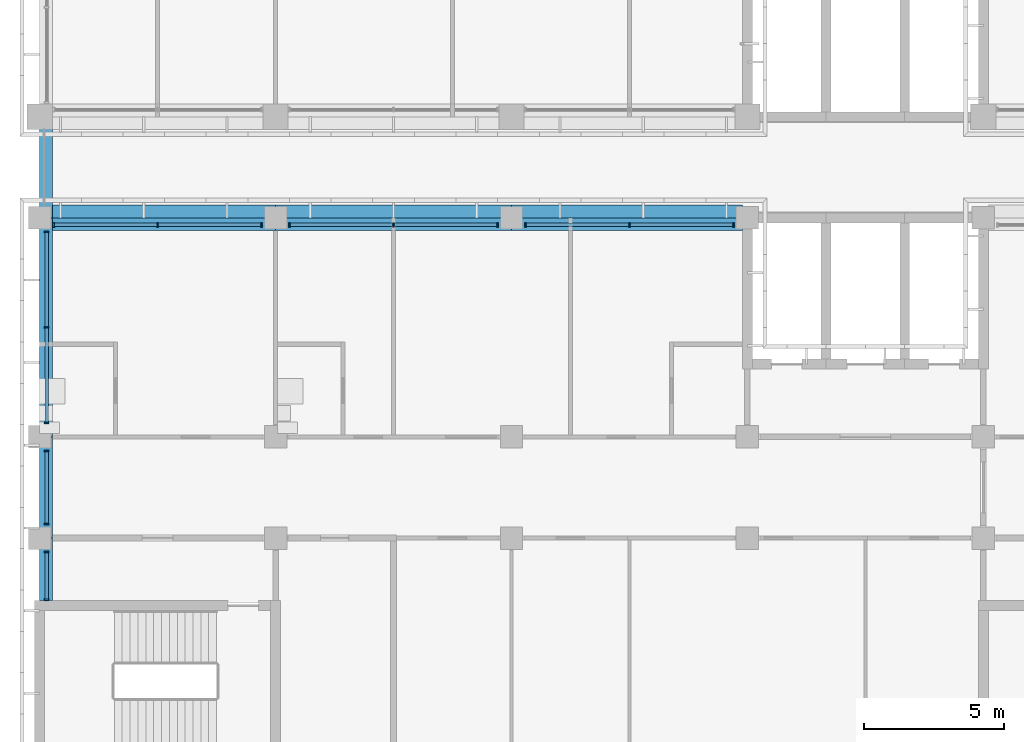
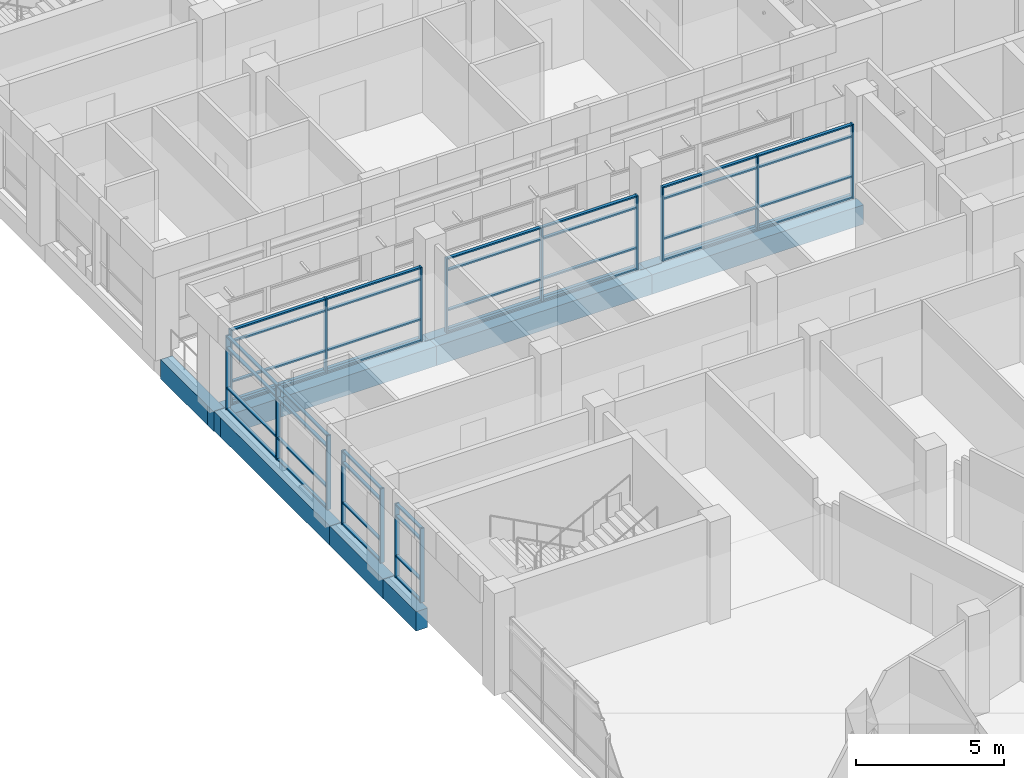
# One storey, part 22 of 137: 56 members, 10 beams, 6 elements without a shape of their own.
"""IFC4 building model written with IfcOpenShell, lengths in metres."""

from ifc_helpers import new_model, si_unit, direction, frame, origin, origin_2d, place, context, subcontext, project, spatial, rectangle, extrude, material, material_profile, profile_set, type_object, element, aggregate, save


model = new_model("IFC4")

# Units and contexts
model_context = context("Model", 3, precision=1e-05, world=origin(), true_north=direction((0.0, 1.0)))
body_context = subcontext(model_context, "Body", "Model", "MODEL_VIEW")
ifc_project = project(units=[si_unit("LENGTHUNIT", "METRE"), si_unit("AREAUNIT", "SQUARE_METRE"), si_unit("VOLUMEUNIT", "CUBIC_METRE"), si_unit("PLANEANGLEUNIT", "RADIAN"), si_unit("MASSUNIT", "GRAM", prefix="KILO")], contexts=[model_context])

# Site, building, storey
site_placement = place(None, origin())
site = spatial("IfcSite", under=ifc_project, at=site_placement, CompositionType="ELEMENT")
building_placement = place(site_placement, origin())
building = spatial("IfcBuilding", under=site, at=building_placement, Name="Bougainvillea Quay General Hospital", CompositionType="ELEMENT")
storey_placement = place(building_placement, frame((0.0, 0.0, 16.800048828125)))
storey = spatial("IfcBuildingStorey", under=building, at=storey_placement, Name="L03", CompositionType="ELEMENT", Elevation=16.800048828125)

# Curtain wall, members
ifc_material_1 = material(Name="Aluminium curtain wall system, powder-coated glazed", Category="aluminium")
curtain_wall_type_1 = type_object("IfcCurtainWallType", Name="Unitised curtain wall CW-3730", PredefinedType="NOTDEFINED", material=ifc_material_1)
curtain_wall_1_placement = place(storey_placement, origin())
curtain_wall_1 = element("IfcCurtainWall", 1, at=curtain_wall_1_placement, inside=storey, type_object=curtain_wall_type_1, Name="CW-4200 00", PredefinedType="NOTDEFINED")
ifc_material_2 = material(Name="Aluminium mullion, powder-coated charcoal", Category="aluminium")
ifc_material_profile_1 = material_profile(ifc_material_2, rectangle(XDim=0.159912109375, YDim=0.06005859375, at=origin_2d()))
ifc_profile_set_1 = profile_set([ifc_material_profile_1], Name="Aluminium mullion, powder-coated charcoal")
member_type_1 = type_object("IfcMemberType", Name="Curtain wall mullion 160x60", PredefinedType="MULLION", material=ifc_profile_set_1)
member_1_placement = place(storey_placement, frame((66.699951171875, 136.550048828125, 0.0), z_axis=(0.0, 0.0, 1.0), x_axis=(0.0, -1.0, 0.0)))
member_1 = element("IfcMember", 2, at=member_1_placement, type_object=member_type_1, Name="CW-4200 mullion 1", PredefinedType="MULLION", context=body_context, shape_type="SweptSolid", body=[
    extrude(rectangle(XDim=0.159912109375, YDim=0.06005859375, at=origin_2d()), origin(), (0.0, 0.0, 1.0), 3.050048828125),
])
member_2_placement = place(storey_placement, frame((63.0, 136.550048828125, 0.0), z_axis=(0.0, 0.0, 1.0), x_axis=(0.0, -1.0, 0.0)))
member_2 = element("IfcMember", 3, at=member_2_placement, type_object=member_type_1, Name="CW-4200 mullion 2", PredefinedType="MULLION", context=body_context, shape_type="SweptSolid", body=[
    extrude(rectangle(XDim=0.159912109375, YDim=0.06005859375, at=origin_2d()), origin(), (0.0, 0.0, 1.0), 3.050048828125),
])
member_3_placement = place(storey_placement, frame((59.300048828125, 136.550048828125, 0.0), z_axis=(0.0, 0.0, 1.0), x_axis=(0.0, -1.0, 0.0)))
member_3 = element("IfcMember", 4, at=member_3_placement, type_object=member_type_1, Name="CW-4200 mullion 3", PredefinedType="MULLION", context=body_context, shape_type="SweptSolid", body=[
    extrude(rectangle(XDim=0.159912109375, YDim=0.06005859375, at=origin_2d()), origin(), (0.0, 0.0, 1.0), 3.050048828125),
])

curtain_wall_2_placement = place(storey_placement, origin())
curtain_wall_2 = element("IfcCurtainWall", 5, at=curtain_wall_2_placement, inside=storey, type_object=curtain_wall_type_1, Name="CW-4200 01", PredefinedType="NOTDEFINED")
member_4_placement = place(storey_placement, frame((58.300048828125, 136.550048828125, 0.0), z_axis=(0.0, 0.0, 1.0), x_axis=(0.0, -1.0, 0.0)))
member_4 = element("IfcMember", 6, at=member_4_placement, type_object=member_type_1, Name="CW-4200 mullion 1", PredefinedType="MULLION", context=body_context, shape_type="SweptSolid", body=[
    extrude(rectangle(XDim=0.159912109375, YDim=0.06005859375, at=origin_2d()), origin(), (0.0, 0.0, 1.0), 3.050048828125),
])
member_5_placement = place(storey_placement, frame((54.60009765625, 136.550048828125, 0.0), z_axis=(0.0, 0.0, 1.0), x_axis=(0.0, -1.0, 0.0)))
member_5 = element("IfcMember", 7, at=member_5_placement, type_object=member_type_1, Name="CW-4200 mullion 2", PredefinedType="MULLION", context=body_context, shape_type="SweptSolid", body=[
    extrude(rectangle(XDim=0.159912109375, YDim=0.06005859375, at=origin_2d()), origin(), (0.0, 0.0, 1.0), 3.050048828125),
])
member_6_placement = place(storey_placement, frame((50.89990234375, 136.550048828125, 0.0), z_axis=(0.0, 0.0, 1.0), x_axis=(0.0, -1.0, 0.0)))
member_6 = element("IfcMember", 8, at=member_6_placement, type_object=member_type_1, Name="CW-4200 mullion 3", PredefinedType="MULLION", context=body_context, shape_type="SweptSolid", body=[
    extrude(rectangle(XDim=0.159912109375, YDim=0.06005859375, at=origin_2d()), origin(), (0.0, 0.0, 1.0), 3.050048828125),
])

curtain_wall_3_placement = place(storey_placement, origin())
curtain_wall_3 = element("IfcCurtainWall", 9, at=curtain_wall_3_placement, inside=storey, type_object=curtain_wall_type_1, Name="CW-4200 02", PredefinedType="NOTDEFINED")
member_7_placement = place(storey_placement, frame((49.89990234375, 136.550048828125, 0.0), z_axis=(0.0, 0.0, 1.0), x_axis=(0.0, -1.0, 0.0)))
member_7 = element("IfcMember", 10, at=member_7_placement, type_object=member_type_1, Name="CW-4200 mullion 1", PredefinedType="MULLION", context=body_context, shape_type="SweptSolid", body=[
    extrude(rectangle(XDim=0.159912109375, YDim=0.06005859375, at=origin_2d()), origin(), (0.0, 0.0, 1.0), 3.050048828125),
])
member_8_placement = place(storey_placement, frame((46.199951171875, 136.550048828125, 0.0), z_axis=(0.0, 0.0, 1.0), x_axis=(0.0, -1.0, 0.0)))
member_8 = element("IfcMember", 11, at=member_8_placement, type_object=member_type_1, Name="CW-4200 mullion 2", PredefinedType="MULLION", context=body_context, shape_type="SweptSolid", body=[
    extrude(rectangle(XDim=0.159912109375, YDim=0.06005859375, at=origin_2d()), origin(), (0.0, 0.0, 1.0), 3.050048828125),
])
member_9_placement = place(storey_placement, frame((42.5, 136.550048828125, 0.0), z_axis=(0.0, 0.0, 1.0), x_axis=(0.0, -1.0, 0.0)))
member_9 = element("IfcMember", 12, at=member_9_placement, type_object=member_type_1, Name="CW-4200 mullion 3", PredefinedType="MULLION", context=body_context, shape_type="SweptSolid", body=[
    extrude(rectangle(XDim=0.159912109375, YDim=0.06005859375, at=origin_2d()), origin(), (0.0, 0.0, 1.0), 3.050048828125),
])

curtain_wall_type_2 = type_object("IfcCurtainWallType", Name="Unitised curtain wall CW-3430", PredefinedType="NOTDEFINED", material=ifc_material_1)
curtain_wall_4_placement = place(storey_placement, origin())
curtain_wall_4 = element("IfcCurtainWall", 13, at=curtain_wall_4_placement, inside=storey, type_object=curtain_wall_type_2, Name="CW-4200 00", PredefinedType="NOTDEFINED")
member_10_placement = place(storey_placement, frame((42.25, 136.300048828125, 0.0), z_axis=(0.0, 0.0, 1.0), x_axis=(1.0, 0.0, 0.0)))
member_10 = element("IfcMember", 14, at=member_10_placement, type_object=member_type_1, Name="CW-4200 mullion 1", PredefinedType="MULLION", context=body_context, shape_type="SweptSolid", body=[
    extrude(rectangle(XDim=0.159912109375, YDim=0.06005859375, at=origin_2d()), origin(), (0.0, 0.0, 1.0), 3.050048828125),
])
member_11_placement = place(storey_placement, frame((42.25, 132.89990234375, 0.0), z_axis=(0.0, 0.0, 1.0), x_axis=(1.0, 0.0, 0.0)))
member_11 = element("IfcMember", 15, at=member_11_placement, type_object=member_type_1, Name="CW-4200 mullion 2", PredefinedType="MULLION", context=body_context, shape_type="SweptSolid", body=[
    extrude(rectangle(XDim=0.159912109375, YDim=0.06005859375, at=origin_2d()), origin(), (0.0, 0.0, 1.0), 3.050048828125),
])
member_12_placement = place(storey_placement, frame((42.25, 129.5, 0.0), z_axis=(0.0, 0.0, 1.0), x_axis=(1.0, 0.0, 0.0)))
member_12 = element("IfcMember", 16, at=member_12_placement, type_object=member_type_1, Name="CW-4200 mullion 3", PredefinedType="MULLION", context=body_context, shape_type="SweptSolid", body=[
    extrude(rectangle(XDim=0.159912109375, YDim=0.06005859375, at=origin_2d()), origin(), (0.0, 0.0, 1.0), 3.050048828125),
])

curtain_wall_type_3 = type_object("IfcCurtainWallType", Name="Unitised curtain wall CW-2660", PredefinedType="NOTDEFINED", material=ifc_material_1)
curtain_wall_5_placement = place(storey_placement, origin())
curtain_wall_5 = element("IfcCurtainWall", 17, at=curtain_wall_5_placement, inside=storey, type_object=curtain_wall_type_3, Name="CW-4200 01", PredefinedType="NOTDEFINED")
member_13_placement = place(storey_placement, frame((42.25, 128.5, 0.0), z_axis=(0.0, 0.0, 1.0), x_axis=(1.0, 0.0, 0.0)))
member_13 = element("IfcMember", 18, at=member_13_placement, type_object=member_type_1, Name="CW-4200 mullion 1", PredefinedType="MULLION", context=body_context, shape_type="SweptSolid", body=[
    extrude(rectangle(XDim=0.159912109375, YDim=0.06005859375, at=origin_2d()), origin(), (0.0, 0.0, 1.0), 3.050048828125),
])
member_14_placement = place(storey_placement, frame((42.25, 125.89990234375, 0.0), z_axis=(0.0, 0.0, 1.0), x_axis=(1.0, 0.0, 0.0)))
member_14 = element("IfcMember", 19, at=member_14_placement, type_object=member_type_1, Name="CW-4200 mullion 2", PredefinedType="MULLION", context=body_context, shape_type="SweptSolid", body=[
    extrude(rectangle(XDim=0.159912109375, YDim=0.06005859375, at=origin_2d()), origin(), (0.0, 0.0, 1.0), 3.050048828125),
])

curtain_wall_type_4 = type_object("IfcCurtainWallType", Name="Unitised curtain wall CW-1755", PredefinedType="NOTDEFINED", material=ifc_material_1)
curtain_wall_6_placement = place(storey_placement, origin())
curtain_wall_6 = element("IfcCurtainWall", 20, at=curtain_wall_6_placement, inside=storey, type_object=curtain_wall_type_4, Name="CW-4200 02", PredefinedType="NOTDEFINED")
member_15_placement = place(storey_placement, frame((42.25, 124.89990234375, 0.0), z_axis=(0.0, 0.0, 1.0), x_axis=(1.0, 0.0, 0.0)))
member_15 = element("IfcMember", 21, at=member_15_placement, type_object=member_type_1, Name="CW-4200 mullion 1", PredefinedType="MULLION", context=body_context, shape_type="SweptSolid", body=[
    extrude(rectangle(XDim=0.159912109375, YDim=0.06005859375, at=origin_2d()), origin(), (0.0, 0.0, 1.0), 3.050048828125),
])
member_16_placement = place(storey_placement, frame((42.25, 123.205078125, 0.0), z_axis=(0.0, 0.0, 1.0), x_axis=(1.0, 0.0, 0.0)))
member_16 = element("IfcMember", 22, at=member_16_placement, type_object=member_type_1, Name="CW-4200 mullion 2", PredefinedType="MULLION", context=body_context, shape_type="SweptSolid", body=[
    extrude(rectangle(XDim=0.159912109375, YDim=0.06005859375, at=origin_2d()), origin(), (0.0, 0.0, 1.0), 3.050048828125),
])

# Member
ifc_material_3 = material(Name="Aluminium transom, powder-coated charcoal", Category="aluminium")
ifc_material_profile_2 = material_profile(ifc_material_3, rectangle(XDim=0.1201171875, YDim=0.06005859375, at=origin_2d()))
ifc_profile_set_2 = profile_set([ifc_material_profile_2], Name="Aluminium transom, powder-coated charcoal")
member_type_2 = type_object("IfcMemberType", Name="Curtain wall transom 120x60", PredefinedType="USERDEFINED", material=ifc_profile_set_2)
member_17_placement = place(storey_placement, frame((66.669921875, 136.550048828125, 0.030029296875), z_axis=(-1.0, 0.0, 0.0), x_axis=(0.0, -1.0, 0.0)))
member_17 = element("IfcMember", 23, at=member_17_placement, type_object=member_type_2, Name="CW-4200 transom 1.1", ObjectType="TRANSOM", PredefinedType="USERDEFINED", context=body_context, shape_type="SweptSolid", body=[
    extrude(rectangle(XDim=0.1201171875, YDim=0.06005859375, at=origin_2d()), origin(), (0.0, 0.0, 1.0), 3.639892578125),
])

member_18_placement = place(storey_placement, frame((66.669921875, 136.550048828125, 0.89990234375), z_axis=(-1.0, 0.0, 0.0), x_axis=(0.0, -1.0, 0.0)))
member_18 = element("IfcMember", 24, at=member_18_placement, type_object=member_type_2, Name="CW-4200 transom 1.2", ObjectType="TRANSOM", PredefinedType="USERDEFINED", context=body_context, shape_type="SweptSolid", body=[
    extrude(rectangle(XDim=0.1201171875, YDim=0.06005859375, at=origin_2d()), origin(), (0.0, 0.0, 1.0), 3.639892578125),
])

member_19_placement = place(storey_placement, frame((66.669921875, 136.550048828125, 2.550048828125), z_axis=(-1.0, 0.0, 0.0), x_axis=(0.0, -1.0, 0.0)))
member_19 = element("IfcMember", 25, at=member_19_placement, type_object=member_type_2, Name="CW-4200 transom 1.3", ObjectType="TRANSOM", PredefinedType="USERDEFINED", context=body_context, shape_type="SweptSolid", body=[
    extrude(rectangle(XDim=0.1201171875, YDim=0.06005859375, at=origin_2d()), origin(), (0.0, 0.0, 1.0), 3.639892578125),
])

member_20_placement = place(storey_placement, frame((66.669921875, 136.550048828125, 3.02001953125), z_axis=(-1.0, 0.0, 0.0), x_axis=(0.0, -1.0, 0.0)))
member_20 = element("IfcMember", 26, at=member_20_placement, type_object=member_type_2, Name="CW-4200 transom 1.4", ObjectType="TRANSOM", PredefinedType="USERDEFINED", context=body_context, shape_type="SweptSolid", body=[
    extrude(rectangle(XDim=0.1201171875, YDim=0.06005859375, at=origin_2d()), origin(), (0.0, 0.0, 1.0), 3.639892578125),
])

member_21_placement = place(storey_placement, frame((62.969970703125, 136.550048828125, 0.030029296875), z_axis=(-1.0, 0.0, 0.0), x_axis=(0.0, -1.0, 0.0)))
member_21 = element("IfcMember", 27, at=member_21_placement, type_object=member_type_2, Name="CW-4200 transom 2.1", ObjectType="TRANSOM", PredefinedType="USERDEFINED", context=body_context, shape_type="SweptSolid", body=[
    extrude(rectangle(XDim=0.1201171875, YDim=0.06005859375, at=origin_2d()), origin(), (0.0, 0.0, 1.0), 3.639892578125),
])

member_22_placement = place(storey_placement, frame((62.969970703125, 136.550048828125, 0.89990234375), z_axis=(-1.0, 0.0, 0.0), x_axis=(0.0, -1.0, 0.0)))
member_22 = element("IfcMember", 28, at=member_22_placement, type_object=member_type_2, Name="CW-4200 transom 2.2", ObjectType="TRANSOM", PredefinedType="USERDEFINED", context=body_context, shape_type="SweptSolid", body=[
    extrude(rectangle(XDim=0.1201171875, YDim=0.06005859375, at=origin_2d()), origin(), (0.0, 0.0, 1.0), 3.639892578125),
])

member_23_placement = place(storey_placement, frame((62.969970703125, 136.550048828125, 2.550048828125), z_axis=(-1.0, 0.0, 0.0), x_axis=(0.0, -1.0, 0.0)))
member_23 = element("IfcMember", 29, at=member_23_placement, type_object=member_type_2, Name="CW-4200 transom 2.3", ObjectType="TRANSOM", PredefinedType="USERDEFINED", context=body_context, shape_type="SweptSolid", body=[
    extrude(rectangle(XDim=0.1201171875, YDim=0.06005859375, at=origin_2d()), origin(), (0.0, 0.0, 1.0), 3.639892578125),
])

member_24_placement = place(storey_placement, frame((62.969970703125, 136.550048828125, 3.02001953125), z_axis=(-1.0, 0.0, 0.0), x_axis=(0.0, -1.0, 0.0)))
member_24 = element("IfcMember", 30, at=member_24_placement, type_object=member_type_2, Name="CW-4200 transom 2.4", ObjectType="TRANSOM", PredefinedType="USERDEFINED", context=body_context, shape_type="SweptSolid", body=[
    extrude(rectangle(XDim=0.1201171875, YDim=0.06005859375, at=origin_2d()), origin(), (0.0, 0.0, 1.0), 3.639892578125),
])

aggregate(curtain_wall_1, [member_1, member_2, member_3, member_17, member_18, member_19, member_20, member_21, member_22, member_23, member_24])

member_25_placement = place(storey_placement, frame((58.27001953125, 136.550048828125, 0.030029296875), z_axis=(-1.0, 0.0, 0.0), x_axis=(0.0, -1.0, 0.0)))
member_25 = element("IfcMember", 31, at=member_25_placement, type_object=member_type_2, Name="CW-4200 transom 1.1", ObjectType="TRANSOM", PredefinedType="USERDEFINED", context=body_context, shape_type="SweptSolid", body=[
    extrude(rectangle(XDim=0.1201171875, YDim=0.06005859375, at=origin_2d()), origin(), (0.0, 0.0, 1.0), 3.64013671875),
])

member_26_placement = place(storey_placement, frame((58.27001953125, 136.550048828125, 0.89990234375), z_axis=(-1.0, 0.0, 0.0), x_axis=(0.0, -1.0, 0.0)))
member_26 = element("IfcMember", 32, at=member_26_placement, type_object=member_type_2, Name="CW-4200 transom 1.2", ObjectType="TRANSOM", PredefinedType="USERDEFINED", context=body_context, shape_type="SweptSolid", body=[
    extrude(rectangle(XDim=0.1201171875, YDim=0.06005859375, at=origin_2d()), origin(), (0.0, 0.0, 1.0), 3.64013671875),
])

member_27_placement = place(storey_placement, frame((58.27001953125, 136.550048828125, 2.550048828125), z_axis=(-1.0, 0.0, 0.0), x_axis=(0.0, -1.0, 0.0)))
member_27 = element("IfcMember", 33, at=member_27_placement, type_object=member_type_2, Name="CW-4200 transom 1.3", ObjectType="TRANSOM", PredefinedType="USERDEFINED", context=body_context, shape_type="SweptSolid", body=[
    extrude(rectangle(XDim=0.1201171875, YDim=0.06005859375, at=origin_2d()), origin(), (0.0, 0.0, 1.0), 3.64013671875),
])

member_28_placement = place(storey_placement, frame((58.27001953125, 136.550048828125, 3.02001953125), z_axis=(-1.0, 0.0, 0.0), x_axis=(0.0, -1.0, 0.0)))
member_28 = element("IfcMember", 34, at=member_28_placement, type_object=member_type_2, Name="CW-4200 transom 1.4", ObjectType="TRANSOM", PredefinedType="USERDEFINED", context=body_context, shape_type="SweptSolid", body=[
    extrude(rectangle(XDim=0.1201171875, YDim=0.06005859375, at=origin_2d()), origin(), (0.0, 0.0, 1.0), 3.64013671875),
])

member_29_placement = place(storey_placement, frame((54.570068359375, 136.550048828125, 0.030029296875), z_axis=(-1.0, 0.0, 0.0), x_axis=(0.0, -1.0, 0.0)))
member_29 = element("IfcMember", 35, at=member_29_placement, type_object=member_type_2, Name="CW-4200 transom 2.1", ObjectType="TRANSOM", PredefinedType="USERDEFINED", context=body_context, shape_type="SweptSolid", body=[
    extrude(rectangle(XDim=0.1201171875, YDim=0.06005859375, at=origin_2d()), origin(), (0.0, 0.0, 1.0), 3.64013671875),
])

member_30_placement = place(storey_placement, frame((54.570068359375, 136.550048828125, 0.89990234375), z_axis=(-1.0, 0.0, 0.0), x_axis=(0.0, -1.0, 0.0)))
member_30 = element("IfcMember", 36, at=member_30_placement, type_object=member_type_2, Name="CW-4200 transom 2.2", ObjectType="TRANSOM", PredefinedType="USERDEFINED", context=body_context, shape_type="SweptSolid", body=[
    extrude(rectangle(XDim=0.1201171875, YDim=0.06005859375, at=origin_2d()), origin(), (0.0, 0.0, 1.0), 3.64013671875),
])

member_31_placement = place(storey_placement, frame((54.570068359375, 136.550048828125, 2.550048828125), z_axis=(-1.0, 0.0, 0.0), x_axis=(0.0, -1.0, 0.0)))
member_31 = element("IfcMember", 37, at=member_31_placement, type_object=member_type_2, Name="CW-4200 transom 2.3", ObjectType="TRANSOM", PredefinedType="USERDEFINED", context=body_context, shape_type="SweptSolid", body=[
    extrude(rectangle(XDim=0.1201171875, YDim=0.06005859375, at=origin_2d()), origin(), (0.0, 0.0, 1.0), 3.64013671875),
])

member_32_placement = place(storey_placement, frame((54.570068359375, 136.550048828125, 3.02001953125), z_axis=(-1.0, 0.0, 0.0), x_axis=(0.0, -1.0, 0.0)))
member_32 = element("IfcMember", 38, at=member_32_placement, type_object=member_type_2, Name="CW-4200 transom 2.4", ObjectType="TRANSOM", PredefinedType="USERDEFINED", context=body_context, shape_type="SweptSolid", body=[
    extrude(rectangle(XDim=0.1201171875, YDim=0.06005859375, at=origin_2d()), origin(), (0.0, 0.0, 1.0), 3.64013671875),
])

aggregate(curtain_wall_2, [member_4, member_5, member_6, member_25, member_26, member_27, member_28, member_29, member_30, member_31, member_32])

member_33_placement = place(storey_placement, frame((49.8701171875, 136.550048828125, 0.030029296875), z_axis=(-1.0, 0.0, 0.0), x_axis=(0.0, -1.0, 0.0)))
member_33 = element("IfcMember", 39, at=member_33_placement, type_object=member_type_2, Name="CW-4200 transom 1.1", ObjectType="TRANSOM", PredefinedType="USERDEFINED", context=body_context, shape_type="SweptSolid", body=[
    extrude(rectangle(XDim=0.1201171875, YDim=0.06005859375, at=origin_2d()), origin(), (0.0, 0.0, 1.0), 3.64013671875),
])

member_34_placement = place(storey_placement, frame((49.8701171875, 136.550048828125, 0.89990234375), z_axis=(-1.0, 0.0, 0.0), x_axis=(0.0, -1.0, 0.0)))
member_34 = element("IfcMember", 40, at=member_34_placement, type_object=member_type_2, Name="CW-4200 transom 1.2", ObjectType="TRANSOM", PredefinedType="USERDEFINED", context=body_context, shape_type="SweptSolid", body=[
    extrude(rectangle(XDim=0.1201171875, YDim=0.06005859375, at=origin_2d()), origin(), (0.0, 0.0, 1.0), 3.64013671875),
])

member_35_placement = place(storey_placement, frame((49.8701171875, 136.550048828125, 2.550048828125), z_axis=(-1.0, 0.0, 0.0), x_axis=(0.0, -1.0, 0.0)))
member_35 = element("IfcMember", 41, at=member_35_placement, type_object=member_type_2, Name="CW-4200 transom 1.3", ObjectType="TRANSOM", PredefinedType="USERDEFINED", context=body_context, shape_type="SweptSolid", body=[
    extrude(rectangle(XDim=0.1201171875, YDim=0.06005859375, at=origin_2d()), origin(), (0.0, 0.0, 1.0), 3.64013671875),
])

member_36_placement = place(storey_placement, frame((49.8701171875, 136.550048828125, 3.02001953125), z_axis=(-1.0, 0.0, 0.0), x_axis=(0.0, -1.0, 0.0)))
member_36 = element("IfcMember", 42, at=member_36_placement, type_object=member_type_2, Name="CW-4200 transom 1.4", ObjectType="TRANSOM", PredefinedType="USERDEFINED", context=body_context, shape_type="SweptSolid", body=[
    extrude(rectangle(XDim=0.1201171875, YDim=0.06005859375, at=origin_2d()), origin(), (0.0, 0.0, 1.0), 3.64013671875),
])

member_37_placement = place(storey_placement, frame((46.169921875, 136.550048828125, 0.030029296875), z_axis=(-1.0, 0.0, 0.0), x_axis=(0.0, -1.0, 0.0)))
member_37 = element("IfcMember", 43, at=member_37_placement, type_object=member_type_2, Name="CW-4200 transom 2.1", ObjectType="TRANSOM", PredefinedType="USERDEFINED", context=body_context, shape_type="SweptSolid", body=[
    extrude(rectangle(XDim=0.1201171875, YDim=0.06005859375, at=origin_2d()), origin(), (0.0, 0.0, 1.0), 3.639892578125),
])

member_38_placement = place(storey_placement, frame((46.169921875, 136.550048828125, 0.89990234375), z_axis=(-1.0, 0.0, 0.0), x_axis=(0.0, -1.0, 0.0)))
member_38 = element("IfcMember", 44, at=member_38_placement, type_object=member_type_2, Name="CW-4200 transom 2.2", ObjectType="TRANSOM", PredefinedType="USERDEFINED", context=body_context, shape_type="SweptSolid", body=[
    extrude(rectangle(XDim=0.1201171875, YDim=0.06005859375, at=origin_2d()), origin(), (0.0, 0.0, 1.0), 3.639892578125),
])

member_39_placement = place(storey_placement, frame((46.169921875, 136.550048828125, 2.550048828125), z_axis=(-1.0, 0.0, 0.0), x_axis=(0.0, -1.0, 0.0)))
member_39 = element("IfcMember", 45, at=member_39_placement, type_object=member_type_2, Name="CW-4200 transom 2.3", ObjectType="TRANSOM", PredefinedType="USERDEFINED", context=body_context, shape_type="SweptSolid", body=[
    extrude(rectangle(XDim=0.1201171875, YDim=0.06005859375, at=origin_2d()), origin(), (0.0, 0.0, 1.0), 3.639892578125),
])

member_40_placement = place(storey_placement, frame((46.169921875, 136.550048828125, 3.02001953125), z_axis=(-1.0, 0.0, 0.0), x_axis=(0.0, -1.0, 0.0)))
member_40 = element("IfcMember", 46, at=member_40_placement, type_object=member_type_2, Name="CW-4200 transom 2.4", ObjectType="TRANSOM", PredefinedType="USERDEFINED", context=body_context, shape_type="SweptSolid", body=[
    extrude(rectangle(XDim=0.1201171875, YDim=0.06005859375, at=origin_2d()), origin(), (0.0, 0.0, 1.0), 3.639892578125),
])

aggregate(curtain_wall_3, [member_7, member_8, member_9, member_33, member_34, member_35, member_36, member_37, member_38, member_39, member_40])

member_41_placement = place(storey_placement, frame((42.25, 136.27001953125, 0.030029296875), z_axis=(0.0, -1.0, 0.0), x_axis=(1.0, 0.0, 0.0)))
member_41 = element("IfcMember", 47, at=member_41_placement, type_object=member_type_2, Name="CW-4200 transom 1.1", ObjectType="TRANSOM", PredefinedType="USERDEFINED", context=body_context, shape_type="SweptSolid", body=[
    extrude(rectangle(XDim=0.1201171875, YDim=0.06005859375, at=origin_2d()), origin(), (0.0, 0.0, 1.0), 3.340087890625),
])

member_42_placement = place(storey_placement, frame((42.25, 136.27001953125, 0.89990234375), z_axis=(0.0, -1.0, 0.0), x_axis=(1.0, 0.0, 0.0)))
member_42 = element("IfcMember", 48, at=member_42_placement, type_object=member_type_2, Name="CW-4200 transom 1.2", ObjectType="TRANSOM", PredefinedType="USERDEFINED", context=body_context, shape_type="SweptSolid", body=[
    extrude(rectangle(XDim=0.1201171875, YDim=0.06005859375, at=origin_2d()), origin(), (0.0, 0.0, 1.0), 3.340087890625),
])

member_43_placement = place(storey_placement, frame((42.25, 136.27001953125, 2.550048828125), z_axis=(0.0, -1.0, 0.0), x_axis=(1.0, 0.0, 0.0)))
member_43 = element("IfcMember", 49, at=member_43_placement, type_object=member_type_2, Name="CW-4200 transom 1.3", ObjectType="TRANSOM", PredefinedType="USERDEFINED", context=body_context, shape_type="SweptSolid", body=[
    extrude(rectangle(XDim=0.1201171875, YDim=0.06005859375, at=origin_2d()), origin(), (0.0, 0.0, 1.0), 3.340087890625),
])

member_44_placement = place(storey_placement, frame((42.25, 136.27001953125, 3.02001953125), z_axis=(0.0, -1.0, 0.0), x_axis=(1.0, 0.0, 0.0)))
member_44 = element("IfcMember", 50, at=member_44_placement, type_object=member_type_2, Name="CW-4200 transom 1.4", ObjectType="TRANSOM", PredefinedType="USERDEFINED", context=body_context, shape_type="SweptSolid", body=[
    extrude(rectangle(XDim=0.1201171875, YDim=0.06005859375, at=origin_2d()), origin(), (0.0, 0.0, 1.0), 3.340087890625),
])

member_45_placement = place(storey_placement, frame((42.25, 132.8701171875, 0.030029296875), z_axis=(0.0, -1.0, 0.0), x_axis=(1.0, 0.0, 0.0)))
member_45 = element("IfcMember", 51, at=member_45_placement, type_object=member_type_2, Name="CW-4200 transom 2.1", ObjectType="TRANSOM", PredefinedType="USERDEFINED", context=body_context, shape_type="SweptSolid", body=[
    extrude(rectangle(XDim=0.1201171875, YDim=0.06005859375, at=origin_2d()), origin(), (0.0, 0.0, 1.0), 3.340087890625),
])

member_46_placement = place(storey_placement, frame((42.25, 132.8701171875, 0.89990234375), z_axis=(0.0, -1.0, 0.0), x_axis=(1.0, 0.0, 0.0)))
member_46 = element("IfcMember", 52, at=member_46_placement, type_object=member_type_2, Name="CW-4200 transom 2.2", ObjectType="TRANSOM", PredefinedType="USERDEFINED", context=body_context, shape_type="SweptSolid", body=[
    extrude(rectangle(XDim=0.1201171875, YDim=0.06005859375, at=origin_2d()), origin(), (0.0, 0.0, 1.0), 3.340087890625),
])

member_47_placement = place(storey_placement, frame((42.25, 132.8701171875, 2.550048828125), z_axis=(0.0, -1.0, 0.0), x_axis=(1.0, 0.0, 0.0)))
member_47 = element("IfcMember", 53, at=member_47_placement, type_object=member_type_2, Name="CW-4200 transom 2.3", ObjectType="TRANSOM", PredefinedType="USERDEFINED", context=body_context, shape_type="SweptSolid", body=[
    extrude(rectangle(XDim=0.1201171875, YDim=0.06005859375, at=origin_2d()), origin(), (0.0, 0.0, 1.0), 3.340087890625),
])

member_48_placement = place(storey_placement, frame((42.25, 132.8701171875, 3.02001953125), z_axis=(0.0, -1.0, 0.0), x_axis=(1.0, 0.0, 0.0)))
member_48 = element("IfcMember", 54, at=member_48_placement, type_object=member_type_2, Name="CW-4200 transom 2.4", ObjectType="TRANSOM", PredefinedType="USERDEFINED", context=body_context, shape_type="SweptSolid", body=[
    extrude(rectangle(XDim=0.1201171875, YDim=0.06005859375, at=origin_2d()), origin(), (0.0, 0.0, 1.0), 3.340087890625),
])

aggregate(curtain_wall_4, [member_10, member_11, member_12, member_41, member_42, member_43, member_44, member_45, member_46, member_47, member_48])

member_49_placement = place(storey_placement, frame((42.25, 128.469970703125, 0.030029296875), z_axis=(0.0, -1.0, 0.0), x_axis=(1.0, 0.0, 0.0)))
member_49 = element("IfcMember", 55, at=member_49_placement, type_object=member_type_2, Name="CW-4200 transom 1.1", ObjectType="TRANSOM", PredefinedType="USERDEFINED", context=body_context, shape_type="SweptSolid", body=[
    extrude(rectangle(XDim=0.1201171875, YDim=0.06005859375, at=origin_2d()), origin(), (0.0, 0.0, 1.0), 2.5400390625),
])

member_50_placement = place(storey_placement, frame((42.25, 128.469970703125, 0.89990234375), z_axis=(0.0, -1.0, 0.0), x_axis=(1.0, 0.0, 0.0)))
member_50 = element("IfcMember", 56, at=member_50_placement, type_object=member_type_2, Name="CW-4200 transom 1.2", ObjectType="TRANSOM", PredefinedType="USERDEFINED", context=body_context, shape_type="SweptSolid", body=[
    extrude(rectangle(XDim=0.1201171875, YDim=0.06005859375, at=origin_2d()), origin(), (0.0, 0.0, 1.0), 2.5400390625),
])

member_51_placement = place(storey_placement, frame((42.25, 128.469970703125, 2.550048828125), z_axis=(0.0, -1.0, 0.0), x_axis=(1.0, 0.0, 0.0)))
member_51 = element("IfcMember", 57, at=member_51_placement, type_object=member_type_2, Name="CW-4200 transom 1.3", ObjectType="TRANSOM", PredefinedType="USERDEFINED", context=body_context, shape_type="SweptSolid", body=[
    extrude(rectangle(XDim=0.1201171875, YDim=0.06005859375, at=origin_2d()), origin(), (0.0, 0.0, 1.0), 2.5400390625),
])

member_52_placement = place(storey_placement, frame((42.25, 128.469970703125, 3.02001953125), z_axis=(0.0, -1.0, 0.0), x_axis=(1.0, 0.0, 0.0)))
member_52 = element("IfcMember", 58, at=member_52_placement, type_object=member_type_2, Name="CW-4200 transom 1.4", ObjectType="TRANSOM", PredefinedType="USERDEFINED", context=body_context, shape_type="SweptSolid", body=[
    extrude(rectangle(XDim=0.1201171875, YDim=0.06005859375, at=origin_2d()), origin(), (0.0, 0.0, 1.0), 2.5400390625),
])

aggregate(curtain_wall_5, [member_13, member_14, member_49, member_50, member_51, member_52])

member_53_placement = place(storey_placement, frame((42.25, 124.8701171875, 0.030029296875), z_axis=(0.0, -1.0, 0.0), x_axis=(1.0, 0.0, 0.0)))
member_53 = element("IfcMember", 59, at=member_53_placement, type_object=member_type_2, Name="CW-4200 transom 1.1", ObjectType="TRANSOM", PredefinedType="USERDEFINED", context=body_context, shape_type="SweptSolid", body=[
    extrude(rectangle(XDim=0.1201171875, YDim=0.06005859375, at=origin_2d()), origin(), (0.0, 0.0, 1.0), 1.635009765625),
])

member_54_placement = place(storey_placement, frame((42.25, 124.8701171875, 0.89990234375), z_axis=(0.0, -1.0, 0.0), x_axis=(1.0, 0.0, 0.0)))
member_54 = element("IfcMember", 60, at=member_54_placement, type_object=member_type_2, Name="CW-4200 transom 1.2", ObjectType="TRANSOM", PredefinedType="USERDEFINED", context=body_context, shape_type="SweptSolid", body=[
    extrude(rectangle(XDim=0.1201171875, YDim=0.06005859375, at=origin_2d()), origin(), (0.0, 0.0, 1.0), 1.635009765625),
])

member_55_placement = place(storey_placement, frame((42.25, 124.8701171875, 2.550048828125), z_axis=(0.0, -1.0, 0.0), x_axis=(1.0, 0.0, 0.0)))
member_55 = element("IfcMember", 61, at=member_55_placement, type_object=member_type_2, Name="CW-4200 transom 1.3", ObjectType="TRANSOM", PredefinedType="USERDEFINED", context=body_context, shape_type="SweptSolid", body=[
    extrude(rectangle(XDim=0.1201171875, YDim=0.06005859375, at=origin_2d()), origin(), (0.0, 0.0, 1.0), 1.635009765625),
])

member_56_placement = place(storey_placement, frame((42.25, 124.8701171875, 3.02001953125), z_axis=(0.0, -1.0, 0.0), x_axis=(1.0, 0.0, 0.0)))
member_56 = element("IfcMember", 62, at=member_56_placement, type_object=member_type_2, Name="CW-4200 transom 1.4", ObjectType="TRANSOM", PredefinedType="USERDEFINED", context=body_context, shape_type="SweptSolid", body=[
    extrude(rectangle(XDim=0.1201171875, YDim=0.06005859375, at=origin_2d()), origin(), (0.0, 0.0, 1.0), 1.635009765625),
])

aggregate(curtain_wall_6, [member_15, member_16, member_53, member_54, member_55, member_56])

# Beams
ifc_material_4 = material(Name="Concrete C40", Category="concrete")
ifc_material_profile_3 = material_profile(ifc_material_4, rectangle(XDim=0.449951171875, YDim=0.800048828125, at=origin_2d()))
ifc_profile_set_3 = profile_set([ifc_material_profile_3], Name="Concrete C40")
beam_type = type_object("IfcBeamType", Name="RC BEAM 450x800 C40", PredefinedType="BEAM", material=ifc_profile_set_3)
beam_1_placement = place(storey_placement, frame((67.02490234375, 136.574951171875, -0.699951171875), z_axis=(-1.0, 0.0, 0.0), x_axis=(0.0, -1.0, 0.0)))
element("IfcBeam", 63, at=beam_1_placement, inside=storey, type_object=beam_type, Name="Edge beam L03", PredefinedType="BEAM", context=body_context, shape_type="SweptSolid", body=[
    extrude(rectangle(XDim=0.449951171875, YDim=0.800048828125, at=origin_2d()), origin(), (0.0, 0.0, 1.0), 8.224853515625),
])
beam_2_placement = place(storey_placement, frame((58.800048828125, 136.574951171875, -0.699951171875), z_axis=(-1.0, 0.0, 0.0), x_axis=(0.0, -1.0, 0.0)))
element("IfcBeam", 64, at=beam_2_placement, inside=storey, type_object=beam_type, Name="Edge beam L03", PredefinedType="BEAM", context=body_context, shape_type="SweptSolid", body=[
    extrude(rectangle(XDim=0.449951171875, YDim=0.800048828125, at=origin_2d()), origin(), (0.0, 0.0, 1.0), 8.400146484375),
])
beam_3_placement = place(storey_placement, frame((50.39990234375, 136.574951171875, -0.699951171875), z_axis=(-1.0, 0.0, 0.0), x_axis=(0.0, -1.0, 0.0)))
element("IfcBeam", 65, at=beam_3_placement, inside=storey, type_object=beam_type, Name="Edge beam L03", PredefinedType="BEAM", context=body_context, shape_type="SweptSolid", body=[
    extrude(rectangle(XDim=0.449951171875, YDim=0.800048828125, at=origin_2d()), origin(), (0.0, 0.0, 1.0), 8.39990234375),
])
beam_4_placement = place(storey_placement, frame((42.22509765625, 136.800048828125, -0.699951171875), z_axis=(0.0, -1.0, 0.0), x_axis=(1.0, 0.0, 0.0)))
element("IfcBeam", 66, at=beam_4_placement, inside=storey, type_object=beam_type, Name="Edge beam L03", PredefinedType="BEAM", context=body_context, shape_type="SweptSolid", body=[
    extrude(rectangle(XDim=0.449951171875, YDim=0.800048828125, at=origin_2d()), origin(), (0.0, 0.0, 1.0), 7.800048828125),
])
beam_5_placement = place(storey_placement, frame((42.22509765625, 129.0, -0.699951171875), z_axis=(0.0, -1.0, 0.0), x_axis=(1.0, 0.0, 0.0)))
element("IfcBeam", 67, at=beam_5_placement, inside=storey, type_object=beam_type, Name="Edge beam L03", PredefinedType="BEAM", context=body_context, shape_type="SweptSolid", body=[
    extrude(rectangle(XDim=0.449951171875, YDim=0.800048828125, at=origin_2d()), origin(), (0.0, 0.0, 1.0), 3.60009765625),
])
beam_6_placement = place(storey_placement, frame((42.22509765625, 125.39990234375, -0.699951171875), z_axis=(0.0, -1.0, 0.0), x_axis=(1.0, 0.0, 0.0)))
element("IfcBeam", 68, at=beam_6_placement, inside=storey, type_object=beam_type, Name="Edge beam L03", PredefinedType="BEAM", context=body_context, shape_type="SweptSolid", body=[
    extrude(rectangle(XDim=0.449951171875, YDim=0.800048828125, at=origin_2d()), origin(), (0.0, 0.0, 1.0), 2.224853515625),
])
beam_7_placement = place(storey_placement, frame((42.22509765625, 140.39990234375, -0.75), z_axis=(0.0, -1.0, 0.0), x_axis=(1.0, 0.0, 0.0)))
element("IfcBeam", 69, at=beam_7_placement, inside=storey, type_object=beam_type, Name="Edge beam L03", PredefinedType="BEAM", context=body_context, shape_type="SweptSolid", body=[
    extrude(rectangle(XDim=0.449951171875, YDim=0.800048828125, at=origin_2d()), origin(), (0.0, 0.0, 1.0), 3.599853515625),
])
beam_8_placement = place(storey_placement, frame((42.0, 137.02490234375, -0.75), z_axis=(1.0, 0.0, 0.0), x_axis=(0.0, 1.0, 0.0)))
element("IfcBeam", 70, at=beam_8_placement, inside=storey, type_object=beam_type, Name="Edge beam L03", PredefinedType="BEAM", context=body_context, shape_type="SweptSolid", body=[
    extrude(rectangle(XDim=0.449951171875, YDim=0.800048828125, at=origin_2d()), origin(), (0.0, 0.0, 1.0), 8.39990234375),
])
beam_9_placement = place(storey_placement, frame((50.39990234375, 137.02490234375, -0.75), z_axis=(1.0, 0.0, 0.0), x_axis=(0.0, 1.0, 0.0)))
element("IfcBeam", 71, at=beam_9_placement, inside=storey, type_object=beam_type, Name="Edge beam L03", PredefinedType="BEAM", context=body_context, shape_type="SweptSolid", body=[
    extrude(rectangle(XDim=0.449951171875, YDim=0.800048828125, at=origin_2d()), origin(), (0.0, 0.0, 1.0), 8.400146484375),
])
beam_10_placement = place(storey_placement, frame((58.800048828125, 137.02490234375, -0.75), z_axis=(1.0, 0.0, 0.0), x_axis=(0.0, 1.0, 0.0)))
element("IfcBeam", 72, at=beam_10_placement, inside=storey, type_object=beam_type, Name="Edge beam L03", PredefinedType="BEAM", context=body_context, shape_type="SweptSolid", body=[
    extrude(rectangle(XDim=0.449951171875, YDim=0.800048828125, at=origin_2d()), origin(), (0.0, 0.0, 1.0), 8.224853515625),
])

save(model, "model.ifc")
